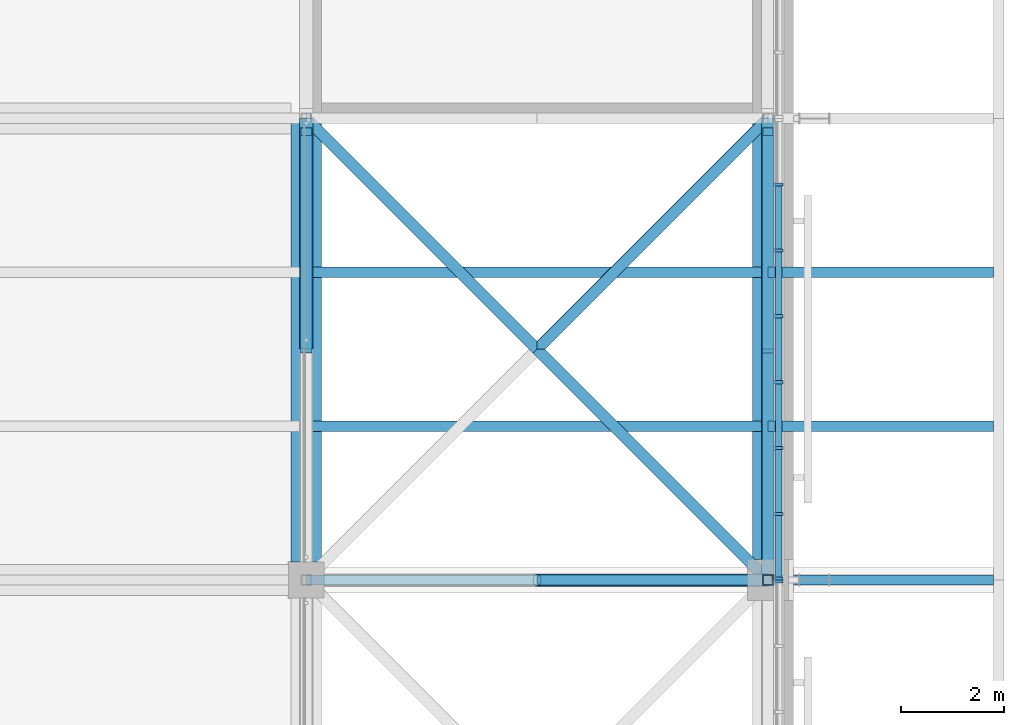
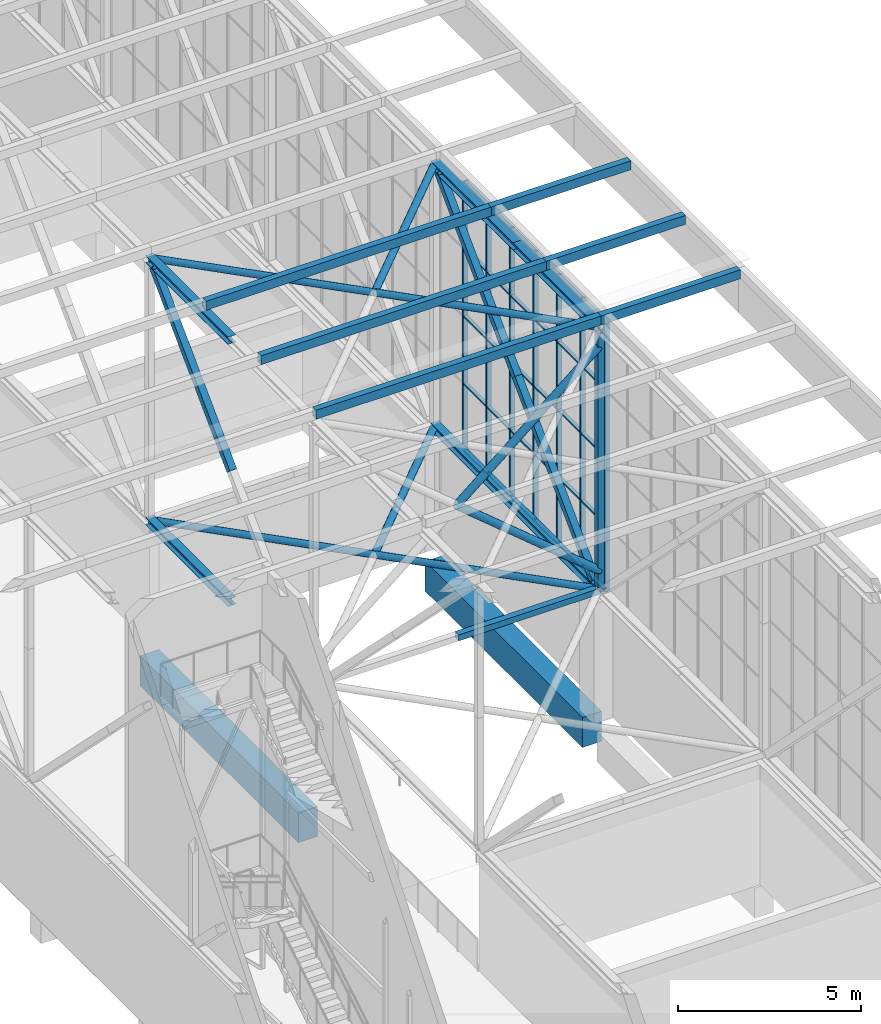
# One storey, part 100 of 646: 64 members, 2 beams, 2 elements without a shape of their own.
"""IFC4 building model written with IfcOpenShell, lengths in metres."""

from ifc_helpers import new_model, si_unit, direction, frame, origin, origin_2d, place, context, subcontext, project, spatial, rectangle, hollow_rectangle, hollow_circle, i_section, extrude, material, material_profile, profile_set, type_object, element, aggregate, save


model = new_model("IFC4")

# Units and contexts
model_context = context("Model", 3, precision=1e-05, world=origin(), true_north=direction((0.0, 1.0)))
body_context = subcontext(model_context, "Body", "Model", "MODEL_VIEW")
ifc_project = project(units=[si_unit("LENGTHUNIT", "METRE"), si_unit("AREAUNIT", "SQUARE_METRE"), si_unit("VOLUMEUNIT", "CUBIC_METRE"), si_unit("PLANEANGLEUNIT", "RADIAN"), si_unit("MASSUNIT", "GRAM", prefix="KILO")], contexts=[model_context])

# Site, building, storey
site_placement = place(None, origin())
site = spatial("IfcSite", under=ifc_project, at=site_placement, CompositionType="ELEMENT")
building_placement = place(site_placement, origin())
building = spatial("IfcBuilding", under=site, at=building_placement, Name="Silverbay Arena", CompositionType="ELEMENT")
storey_placement = place(building_placement, frame((0.0, 0.0, 33.5)))
storey = spatial("IfcBuildingStorey", under=building, at=storey_placement, Name="L05", CompositionType="ELEMENT", Elevation=33.5)

# Member
ifc_material_1 = material(Name="Steel S355", Category="steel")
ifc_material_profile_1 = material_profile(ifc_material_1, hollow_rectangle(XDim=0.199951171875, YDim=0.199951171875, WallThickness=0.008056640625, at=origin_2d()), Name="SHS 200x200x8")
ifc_profile_set_1 = profile_set([ifc_material_profile_1], Name="Steel S355")
member_type_1 = type_object("IfcMemberType", Name="Bracing strut SHS 200x200x8", PredefinedType="STRUT", material=ifc_profile_set_1)
member_1_placement = place(storey_placement, frame((202.5, 81.0, 4.126953125), z_axis=(1.0, 0.0, 0.0), x_axis=(0.0, 1.0, 0.0)))
element("IfcMember", 1, at=member_1_placement, inside=storey, type_object=member_type_1, Name="ROOF BRACING strut 23-24 line 09b", PredefinedType="STRUT", context=body_context, shape_type="SweptSolid", body=[
    extrude(hollow_rectangle(XDim=0.199951171875, YDim=0.199951171875, WallThickness=0.008056640625, at=origin_2d()), origin(), (0.0, 0.0, 1.0), 4.5),
])

# Curtain wall, member
ifc_material_2 = material(Name="Aluminium framed glazing", Category="aluminium")
curtain_wall_type = type_object("IfcCurtainWallType", Name="Curtain wall clerestory 9000 x 9000", PredefinedType="NOTDEFINED", material=ifc_material_2)
curtain_wall_1_placement = place(storey_placement, origin())
curtain_wall_1 = element("IfcCurtainWall", 2, at=curtain_wall_1_placement, inside=storey, type_object=curtain_wall_type, Name="ROOF GABLE CLERESTORY CURTAIN WALL east bay 08", PredefinedType="NOTDEFINED")
ifc_material_3 = material(Name="Aluminium", Category="aluminium")
ifc_material_profile_2 = material_profile(ifc_material_3, rectangle(XDim=0.159912109375, YDim=0.06005859375, at=origin_2d()), Name="Mullion 60 x 160")
ifc_profile_set_2 = profile_set([ifc_material_profile_2], Name="Aluminium")
member_type_2 = type_object("IfcMemberType", Name="Mullion 60 x 160", PredefinedType="MULLION", material=ifc_profile_set_2)
member_2_placement = place(storey_placement, frame((207.2099609375, 80.969970703125, 4.0), z_axis=(0.0, 0.0, 1.0), x_axis=(-1.0, 0.0, 0.0)))
member_2 = element("IfcMember", 3, at=member_2_placement, type_object=member_type_2, Name="CW60 mullion 8", PredefinedType="MULLION", context=body_context, shape_type="SweptSolid", body=[
    extrude(rectangle(XDim=0.159912109375, YDim=0.06005859375, at=origin_2d()), origin(), (0.0, 0.0, 1.0), 9.0),
])
aggregate(curtain_wall_1, [member_2])

# Curtain wall, members
curtain_wall_2_placement = place(storey_placement, origin())
curtain_wall_2 = element("IfcCurtainWall", 4, at=curtain_wall_2_placement, inside=storey, type_object=curtain_wall_type, Name="ROOF GABLE CLERESTORY CURTAIN WALL east bay 09", PredefinedType="NOTDEFINED")
member_3_placement = place(storey_placement, frame((207.2099609375, 81.030029296875, 4.0), z_axis=(0.0, 0.0, 1.0), x_axis=(-1.0, 0.0, 0.0)))
member_3 = element("IfcMember", 5, at=member_3_placement, type_object=member_type_2, Name="CW60 mullion 1", PredefinedType="MULLION", context=body_context, shape_type="SweptSolid", body=[
    extrude(rectangle(XDim=0.159912109375, YDim=0.06005859375, at=origin_2d()), origin(), (0.0, 0.0, 1.0), 9.0),
])
member_4_placement = place(storey_placement, frame((207.2099609375, 82.28564453125, 4.0), z_axis=(0.0, 0.0, 1.0), x_axis=(-1.0, 0.0, 0.0)))
member_4 = element("IfcMember", 6, at=member_4_placement, type_object=member_type_2, Name="CW60 mullion 2", PredefinedType="MULLION", context=body_context, shape_type="SweptSolid", body=[
    extrude(rectangle(XDim=0.159912109375, YDim=0.06005859375, at=origin_2d()), origin(), (0.0, 0.0, 1.0), 9.0),
])
member_5_placement = place(storey_placement, frame((207.2099609375, 83.571533203125, 4.0), z_axis=(0.0, 0.0, 1.0), x_axis=(-1.0, 0.0, 0.0)))
member_5 = element("IfcMember", 7, at=member_5_placement, type_object=member_type_2, Name="CW60 mullion 3", PredefinedType="MULLION", context=body_context, shape_type="SweptSolid", body=[
    extrude(rectangle(XDim=0.159912109375, YDim=0.06005859375, at=origin_2d()), origin(), (0.0, 0.0, 1.0), 9.0),
])
member_6_placement = place(storey_placement, frame((207.2099609375, 84.857177734375, 4.0), z_axis=(0.0, 0.0, 1.0), x_axis=(-1.0, 0.0, 0.0)))
member_6 = element("IfcMember", 8, at=member_6_placement, type_object=member_type_2, Name="CW60 mullion 4", PredefinedType="MULLION", context=body_context, shape_type="SweptSolid", body=[
    extrude(rectangle(XDim=0.159912109375, YDim=0.06005859375, at=origin_2d()), origin(), (0.0, 0.0, 1.0), 9.0),
])
member_7_placement = place(storey_placement, frame((207.2099609375, 86.142822265625, 4.0), z_axis=(0.0, 0.0, 1.0), x_axis=(-1.0, 0.0, 0.0)))
member_7 = element("IfcMember", 9, at=member_7_placement, type_object=member_type_2, Name="CW60 mullion 5", PredefinedType="MULLION", context=body_context, shape_type="SweptSolid", body=[
    extrude(rectangle(XDim=0.159912109375, YDim=0.06005859375, at=origin_2d()), origin(), (0.0, 0.0, 1.0), 9.0),
])
member_8_placement = place(storey_placement, frame((207.2099609375, 87.428466796875, 4.0), z_axis=(0.0, 0.0, 1.0), x_axis=(-1.0, 0.0, 0.0)))
member_8 = element("IfcMember", 10, at=member_8_placement, type_object=member_type_2, Name="CW60 mullion 6", PredefinedType="MULLION", context=body_context, shape_type="SweptSolid", body=[
    extrude(rectangle(XDim=0.159912109375, YDim=0.06005859375, at=origin_2d()), origin(), (0.0, 0.0, 1.0), 9.0),
])
member_9_placement = place(storey_placement, frame((207.2099609375, 88.71435546875, 4.0), z_axis=(0.0, 0.0, 1.0), x_axis=(-1.0, 0.0, 0.0)))
member_9 = element("IfcMember", 11, at=member_9_placement, type_object=member_type_2, Name="CW60 mullion 7", PredefinedType="MULLION", context=body_context, shape_type="SweptSolid", body=[
    extrude(rectangle(XDim=0.159912109375, YDim=0.06005859375, at=origin_2d()), origin(), (0.0, 0.0, 1.0), 9.0),
])

# Members
ifc_material_4 = material(Name="Steel S355", Category="steel")
ifc_material_profile_3 = material_profile(ifc_material_4, hollow_circle(Radius=0.109619140625, WallThickness=0.00634765625, at=origin_2d()), Name="CHS 219.1x6.3")
ifc_profile_set_3 = profile_set([ifc_material_profile_3], Name="Steel S355")
member_type_3 = type_object("IfcMemberType", Name="Plan bracing CHS 219.1x6.3", PredefinedType="BRACE", material=ifc_profile_set_3)
for number, where, z_axis, x_axis, name in (
    (12, (202.5, 85.5, 12.873046875), (0.707106781187, 0.707106781187, 0.0), (-0.707106781187, 0.707106781187, 0.0), "ROOF BRACING top 23-24 panel 09 Ab"),
    (13, (198.0, 90.0, 12.873046875), (0.707106781187, -0.707106781187, 0.0), (0.707106781187, 0.707106781187, 0.0), "ROOF BRACING top 23-24 panel 09 Ba"),
    (14, (202.5, 85.5, 12.873046875), (0.707106781187, -0.707106781187, 0.0), (0.707106781187, 0.707106781187, 0.0), "ROOF BRACING top 23-24 panel 09 Bb"),
    (15, (202.5, 85.5, 4.126953125), (0.707106781187, 0.707106781187, 0.0), (-0.707106781187, 0.707106781187, 0.0), "ROOF BRACING bottom 23-24 panel 09 Ab"),
    (16, (198.0, 90.0, 4.126953125), (0.707106781187, -0.707106781187, 0.0), (0.707106781187, 0.707106781187, 0.0), "ROOF BRACING bottom 23-24 panel 09 Ba"),
    (17, (202.5, 85.5, 4.126953125), (0.707106781187, -0.707106781187, 0.0), (0.707106781187, 0.707106781187, 0.0), "ROOF BRACING bottom 23-24 panel 09 Bb"),
):
    element("IfcMember", number, at=place(storey_placement, frame(where, z_axis=z_axis, x_axis=x_axis)), inside=storey, type_object=member_type_3, Name=name, PredefinedType="BRACE", context=body_context, shape_type="SweptSolid", body=[
        extrude(hollow_circle(Radius=0.109619140625, WallThickness=0.00634765625, at=origin_2d()), origin(), (0.0, 0.0, 1.0), 6.364013671875),
    ])
ifc_material_5 = material(Name="Steel S355", Category="steel")
ifc_material_profile_4 = material_profile(ifc_material_5, hollow_rectangle(XDim=0.199951171875, YDim=0.300048828125, WallThickness=0.008056640625, at=origin_2d()), Name="RHS 300x200x8")
ifc_profile_set_4 = profile_set([ifc_material_profile_4], Name="Steel S355")
member_type_4 = type_object("IfcMemberType", Name="Purlin RHS 300x200x8", PredefinedType="PURLIN", material=ifc_profile_set_4)
for number, where, z_axis, x_axis, name in (
    (18, (198.0, 81.0, 13.14990234375), (1.0, 0.0, 0.0), (0.0, 1.0, 0.0), "ROOF PURLIN 23-24 line 25"),
    (19, (198.0, 84.0, 13.14990234375), (1.0, 0.0, 0.0), (0.0, 1.0, 0.0), "ROOF PURLIN 23-24 line 26"),
    (20, (198.0, 87.0, 13.14990234375), (1.0, 0.0, 0.0), (0.0, 1.0, 0.0), "ROOF PURLIN 23-24 line 27"),
):
    element("IfcMember", number, at=place(storey_placement, frame(where, z_axis=z_axis, x_axis=x_axis)), inside=storey, type_object=member_type_4, Name=name, PredefinedType="PURLIN", context=body_context, shape_type="SweptSolid", body=[
        extrude(hollow_rectangle(XDim=0.199951171875, YDim=0.300048828125, WallThickness=0.008056640625, at=origin_2d()), origin(), (0.0, 0.0, 1.0), 9.0),
    ])
for number, where, z_axis, x_axis, name in (
    (21, (211.39990234375, 81.0, 13.14990234375), (-1.0, 0.0, 0.0), (0.0, -1.0, 0.0), "ROOF PURLIN east eave line 25"),
    (22, (211.39990234375, 84.0, 13.14990234375), (-1.0, 0.0, 0.0), (0.0, -1.0, 0.0), "ROOF PURLIN east eave line 26"),
    (23, (211.39990234375, 87.0, 13.14990234375), (-1.0, 0.0, 0.0), (0.0, -1.0, 0.0), "ROOF PURLIN east eave line 27"),
):
    element("IfcMember", number, at=place(storey_placement, frame(where, z_axis=z_axis, x_axis=x_axis)), inside=storey, type_object=member_type_4, Name=name, PredefinedType="PURLIN", context=body_context, shape_type="SweptSolid", body=[
        extrude(hollow_rectangle(XDim=0.199951171875, YDim=0.300048828125, WallThickness=0.008056640625, at=origin_2d()), origin(), (0.0, 0.0, 1.0), 4.39990234375),
    ])

# Beams
ifc_material_6 = material(Name="Concrete Grade C45", Category="concrete")
ifc_material_profile_5 = material_profile(ifc_material_6, rectangle(XDim=0.60009765625, YDim=1.0, at=origin_2d()), Name="RC 600x1000")
ifc_profile_set_5 = profile_set([ifc_material_profile_5], Name="Concrete Grade C45")
beam_type = type_object("IfcBeamType", Name="RC beam 600x1000", PredefinedType="BEAM", material=ifc_profile_set_5)
beam_1_placement = place(storey_placement, frame((198.0, 81.35009765625, -0.800048828125), z_axis=(0.0, 1.0, 0.0), x_axis=(-1.0, 0.0, 0.0)))
element("IfcBeam", 24, at=beam_1_placement, inside=storey, type_object=beam_type, Name="Floor beam L05 143", PredefinedType="BEAM", context=body_context, shape_type="SweptSolid", body=[
    extrude(rectangle(XDim=0.60009765625, YDim=1.0, at=origin_2d()), origin(), (0.0, 0.0, 1.0), 8.64990234375),
])
beam_2_placement = place(storey_placement, frame((207.0, 81.39990234375, -0.800048828125), z_axis=(0.0, 1.0, 0.0), x_axis=(-1.0, 0.0, 0.0)))
element("IfcBeam", 25, at=beam_2_placement, inside=storey, type_object=beam_type, Name="Floor beam L05 151", PredefinedType="BEAM", context=body_context, shape_type="SweptSolid", body=[
    extrude(rectangle(XDim=0.60009765625, YDim=1.0, at=origin_2d()), origin(), (0.0, 0.0, 1.0), 8.60009765625),
])

# Members
ifc_material_7 = material(Name="Steel S355", Category="steel")
ifc_material_profile_6 = material_profile(ifc_material_7, i_section(OverallWidth=0.254638671875, OverallDepth=0.254150390625, WebThickness=0.008544921875, FlangeThickness=0.01416015625, at=origin_2d()), Name="UC 254x254x73")
ifc_profile_set_6 = profile_set([ifc_material_profile_6], Name="Steel S355")
member_type_5 = type_object("IfcMemberType", Name="Short-span bottom chord UC 254x254x73", PredefinedType="CHORD", material=ifc_profile_set_6)
for number, where, z_axis, x_axis, name in (
    (26, (198.0, 85.5, 4.126953125), (0.0, 1.0, 0.0), (-1.0, 0.0, 0.0), "ROOF TRUSS 23 bottom chord 09b"),
    (27, (207.0, 81.0, 4.126953125), (0.0, 1.0, 0.0), (-1.0, 0.0, 0.0), "ROOF TRUSS 24 bottom chord 09a"),
    (28, (207.0, 85.5, 4.126953125), (0.0, 1.0, 0.0), (-1.0, 0.0, 0.0), "ROOF TRUSS 24 bottom chord 09b"),
):
    element("IfcMember", number, at=place(storey_placement, frame(where, z_axis=z_axis, x_axis=x_axis)), inside=storey, type_object=member_type_5, Name=name, PredefinedType="CHORD", context=body_context, shape_type="SweptSolid", body=[
        extrude(i_section(OverallWidth=0.254638671875, OverallDepth=0.254150390625, WebThickness=0.008544921875, FlangeThickness=0.01416015625, at=origin_2d()), origin(), (0.0, 0.0, 1.0), 4.5),
    ])
ifc_material_8 = material(Name="Steel S355", Category="steel")
ifc_material_profile_7 = material_profile(ifc_material_8, i_section(OverallWidth=0.254638671875, OverallDepth=0.254150390625, WebThickness=0.008544921875, FlangeThickness=0.01416015625, at=origin_2d()), Name="UC 254x254x73")
ifc_profile_set_7 = profile_set([ifc_material_profile_7], Name="Steel S355")
member_type_6 = type_object("IfcMemberType", Name="Short-span top chord UC 254x254x73", PredefinedType="CHORD", material=ifc_profile_set_7)
for number, where, z_axis, x_axis, name in (
    (29, (198.0, 85.5, 12.873046875), (0.0, 1.0, 0.0), (-1.0, 0.0, 0.0), "ROOF TRUSS 23 top chord 09b"),
    (30, (207.0, 81.0, 12.873046875), (0.0, 1.0, 0.0), (-1.0, 0.0, 0.0), "ROOF TRUSS 24 top chord 09a"),
    (31, (207.0, 85.5, 12.873046875), (0.0, 1.0, 0.0), (-1.0, 0.0, 0.0), "ROOF TRUSS 24 top chord 09b"),
):
    element("IfcMember", number, at=place(storey_placement, frame(where, z_axis=z_axis, x_axis=x_axis)), inside=storey, type_object=member_type_6, Name=name, PredefinedType="CHORD", context=body_context, shape_type="SweptSolid", body=[
        extrude(i_section(OverallWidth=0.254638671875, OverallDepth=0.254150390625, WebThickness=0.008544921875, FlangeThickness=0.01416015625, at=origin_2d()), origin(), (0.0, 0.0, 1.0), 4.5),
    ])
ifc_material_9 = material(Name="Steel S355", Category="steel")
ifc_material_profile_8 = material_profile(ifc_material_9, hollow_rectangle(XDim=0.219970703125, YDim=0.219970703125, WallThickness=0.008056640625, at=origin_2d()), Name="SHS 220x220x8")
ifc_profile_set_8 = profile_set([ifc_material_profile_8], Name="Steel S355")
member_type_7 = type_object("IfcMemberType", Name="Short-span truss diagonal SHS 220x220x8", PredefinedType="BRACE", material=ifc_profile_set_8)
for number, where, z_axis, x_axis, name in (
    (32, (198.0, 89.73974609375, 12.745849609375), (0.0, -0.706597990941, -0.707615205601), (1.0, 0.0, 0.0), "ROOF TRUSS 23 diagonal 09a"),
    (33, (207.0, 89.73974609375, 12.745849609375), (0.0, -0.706597990941, -0.707615205601), (1.0, 0.0, 0.0), "ROOF TRUSS 24 diagonal 09a"),
    (34, (207.0, 85.5, 8.5), (0.0, -0.706597990941, -0.707615205601), (1.0, 0.0, 0.0), "ROOF TRUSS 24 diagonal 09b"),
):
    element("IfcMember", number, at=place(storey_placement, frame(where, z_axis=z_axis, x_axis=x_axis)), inside=storey, type_object=member_type_7, Name=name, PredefinedType="BRACE", context=body_context, shape_type="SweptSolid", body=[
        extrude(hollow_rectangle(XDim=0.219970703125, YDim=0.219970703125, WallThickness=0.008056640625, at=origin_2d()), origin(), (0.0, 0.0, 1.0), 6.000244140625),
    ])
ifc_material_10 = material(Name="Steel S355", Category="steel")
ifc_material_profile_9 = material_profile(ifc_material_10, hollow_rectangle(XDim=0.199951171875, YDim=0.199951171875, WallThickness=0.008056640625, at=origin_2d()), Name="SHS 200x200x8")
ifc_profile_set_9 = profile_set([ifc_material_profile_9], Name="Steel S355")
member_type_8 = type_object("IfcMemberType", Name="Short-span truss vertical SHS 200x200x8", PredefinedType="STRUT", material=ifc_profile_set_9)
for number, where, z_axis, x_axis, name in (
    (35, (207.0, 81.0, 4.254150390625), (0.0, 0.0, 1.0), (1.0, 0.0, 0.0), "ROOF TRUSS 24 vertical 09a"),
    (36, (207.0, 81.0, 8.5), (0.0, 0.0, 1.0), (1.0, 0.0, 0.0), "ROOF TRUSS 24 vertical 09b"),
):
    element("IfcMember", number, at=place(storey_placement, frame(where, z_axis=z_axis, x_axis=x_axis)), inside=storey, type_object=member_type_8, Name=name, PredefinedType="STRUT", context=body_context, shape_type="SweptSolid", body=[
        extrude(hollow_rectangle(XDim=0.199951171875, YDim=0.199951171875, WallThickness=0.008056640625, at=origin_2d()), origin(), (0.0, 0.0, 1.0), 4.245849609375),
    ])

# Member
ifc_material_11 = material(Name="Aluminium", Category="aluminium")
ifc_material_profile_10 = material_profile(ifc_material_11, rectangle(XDim=0.1201171875, YDim=0.050048828125, at=origin_2d()), Name="Transom 50 x 120")
ifc_profile_set_10 = profile_set([ifc_material_profile_10], Name="Aluminium")
member_type_9 = type_object("IfcMemberType", Name="Transom 50 x 120", PredefinedType="USERDEFINED", material=ifc_profile_set_10)
member_10_placement = place(storey_placement, frame((207.2099609375, 81.06005859375, 4.02490234375), z_axis=(0.0, 1.0, 0.0), x_axis=(-1.0, 0.0, 0.0)))
member_10 = element("IfcMember", 37, at=member_10_placement, type_object=member_type_9, Name="CW60 transom 1.1", ObjectType="TRANSOM", PredefinedType="USERDEFINED", context=body_context, shape_type="SweptSolid", body=[
    extrude(rectangle(XDim=0.1201171875, YDim=0.050048828125, at=origin_2d()), origin(), (0.0, 0.0, 1.0), 1.195556640625),
])

member_11_placement = place(storey_placement, frame((207.2099609375, 81.06005859375, 6.25), z_axis=(0.0, 1.0, 0.0), x_axis=(-1.0, 0.0, 0.0)))
member_11 = element("IfcMember", 38, at=member_11_placement, type_object=member_type_9, Name="CW60 transom 1.2", ObjectType="TRANSOM", PredefinedType="USERDEFINED", context=body_context, shape_type="SweptSolid", body=[
    extrude(rectangle(XDim=0.1201171875, YDim=0.050048828125, at=origin_2d()), origin(), (0.0, 0.0, 1.0), 1.195556640625),
])

member_12_placement = place(storey_placement, frame((207.2099609375, 81.06005859375, 8.5), z_axis=(0.0, 1.0, 0.0), x_axis=(-1.0, 0.0, 0.0)))
member_12 = element("IfcMember", 39, at=member_12_placement, type_object=member_type_9, Name="CW60 transom 1.3", ObjectType="TRANSOM", PredefinedType="USERDEFINED", context=body_context, shape_type="SweptSolid", body=[
    extrude(rectangle(XDim=0.1201171875, YDim=0.050048828125, at=origin_2d()), origin(), (0.0, 0.0, 1.0), 1.195556640625),
])

member_13_placement = place(storey_placement, frame((207.2099609375, 81.06005859375, 10.75), z_axis=(0.0, 1.0, 0.0), x_axis=(-1.0, 0.0, 0.0)))
member_13 = element("IfcMember", 40, at=member_13_placement, type_object=member_type_9, Name="CW60 transom 1.4", ObjectType="TRANSOM", PredefinedType="USERDEFINED", context=body_context, shape_type="SweptSolid", body=[
    extrude(rectangle(XDim=0.1201171875, YDim=0.050048828125, at=origin_2d()), origin(), (0.0, 0.0, 1.0), 1.195556640625),
])

member_14_placement = place(storey_placement, frame((207.2099609375, 81.06005859375, 12.97509765625), z_axis=(0.0, 1.0, 0.0), x_axis=(-1.0, 0.0, 0.0)))
member_14 = element("IfcMember", 41, at=member_14_placement, type_object=member_type_9, Name="CW60 transom 1.5", ObjectType="TRANSOM", PredefinedType="USERDEFINED", context=body_context, shape_type="SweptSolid", body=[
    extrude(rectangle(XDim=0.1201171875, YDim=0.050048828125, at=origin_2d()), origin(), (0.0, 0.0, 1.0), 1.195556640625),
])

member_15_placement = place(storey_placement, frame((207.2099609375, 82.315673828125, 4.02490234375), z_axis=(0.0, 1.0, 0.0), x_axis=(-1.0, 0.0, 0.0)))
member_15 = element("IfcMember", 42, at=member_15_placement, type_object=member_type_9, Name="CW60 transom 2.1", ObjectType="TRANSOM", PredefinedType="USERDEFINED", context=body_context, shape_type="SweptSolid", body=[
    extrude(rectangle(XDim=0.1201171875, YDim=0.050048828125, at=origin_2d()), origin(), (0.0, 0.0, 1.0), 1.225830078125),
])

member_16_placement = place(storey_placement, frame((207.2099609375, 82.315673828125, 6.25), z_axis=(0.0, 1.0, 0.0), x_axis=(-1.0, 0.0, 0.0)))
member_16 = element("IfcMember", 43, at=member_16_placement, type_object=member_type_9, Name="CW60 transom 2.2", ObjectType="TRANSOM", PredefinedType="USERDEFINED", context=body_context, shape_type="SweptSolid", body=[
    extrude(rectangle(XDim=0.1201171875, YDim=0.050048828125, at=origin_2d()), origin(), (0.0, 0.0, 1.0), 1.225830078125),
])

member_17_placement = place(storey_placement, frame((207.2099609375, 82.315673828125, 8.5), z_axis=(0.0, 1.0, 0.0), x_axis=(-1.0, 0.0, 0.0)))
member_17 = element("IfcMember", 44, at=member_17_placement, type_object=member_type_9, Name="CW60 transom 2.3", ObjectType="TRANSOM", PredefinedType="USERDEFINED", context=body_context, shape_type="SweptSolid", body=[
    extrude(rectangle(XDim=0.1201171875, YDim=0.050048828125, at=origin_2d()), origin(), (0.0, 0.0, 1.0), 1.225830078125),
])

member_18_placement = place(storey_placement, frame((207.2099609375, 82.315673828125, 10.75), z_axis=(0.0, 1.0, 0.0), x_axis=(-1.0, 0.0, 0.0)))
member_18 = element("IfcMember", 45, at=member_18_placement, type_object=member_type_9, Name="CW60 transom 2.4", ObjectType="TRANSOM", PredefinedType="USERDEFINED", context=body_context, shape_type="SweptSolid", body=[
    extrude(rectangle(XDim=0.1201171875, YDim=0.050048828125, at=origin_2d()), origin(), (0.0, 0.0, 1.0), 1.225830078125),
])

member_19_placement = place(storey_placement, frame((207.2099609375, 82.315673828125, 12.97509765625), z_axis=(0.0, 1.0, 0.0), x_axis=(-1.0, 0.0, 0.0)))
member_19 = element("IfcMember", 46, at=member_19_placement, type_object=member_type_9, Name="CW60 transom 2.5", ObjectType="TRANSOM", PredefinedType="USERDEFINED", context=body_context, shape_type="SweptSolid", body=[
    extrude(rectangle(XDim=0.1201171875, YDim=0.050048828125, at=origin_2d()), origin(), (0.0, 0.0, 1.0), 1.225830078125),
])

member_20_placement = place(storey_placement, frame((207.2099609375, 83.601318359375, 4.02490234375), z_axis=(0.0, 1.0, 0.0), x_axis=(-1.0, 0.0, 0.0)))
member_20 = element("IfcMember", 47, at=member_20_placement, type_object=member_type_9, Name="CW60 transom 3.1", ObjectType="TRANSOM", PredefinedType="USERDEFINED", context=body_context, shape_type="SweptSolid", body=[
    extrude(rectangle(XDim=0.1201171875, YDim=0.050048828125, at=origin_2d()), origin(), (0.0, 0.0, 1.0), 1.225830078125),
])

member_21_placement = place(storey_placement, frame((207.2099609375, 83.601318359375, 6.25), z_axis=(0.0, 1.0, 0.0), x_axis=(-1.0, 0.0, 0.0)))
member_21 = element("IfcMember", 48, at=member_21_placement, type_object=member_type_9, Name="CW60 transom 3.2", ObjectType="TRANSOM", PredefinedType="USERDEFINED", context=body_context, shape_type="SweptSolid", body=[
    extrude(rectangle(XDim=0.1201171875, YDim=0.050048828125, at=origin_2d()), origin(), (0.0, 0.0, 1.0), 1.225830078125),
])

member_22_placement = place(storey_placement, frame((207.2099609375, 83.601318359375, 8.5), z_axis=(0.0, 1.0, 0.0), x_axis=(-1.0, 0.0, 0.0)))
member_22 = element("IfcMember", 49, at=member_22_placement, type_object=member_type_9, Name="CW60 transom 3.3", ObjectType="TRANSOM", PredefinedType="USERDEFINED", context=body_context, shape_type="SweptSolid", body=[
    extrude(rectangle(XDim=0.1201171875, YDim=0.050048828125, at=origin_2d()), origin(), (0.0, 0.0, 1.0), 1.225830078125),
])

member_23_placement = place(storey_placement, frame((207.2099609375, 83.601318359375, 10.75), z_axis=(0.0, 1.0, 0.0), x_axis=(-1.0, 0.0, 0.0)))
member_23 = element("IfcMember", 50, at=member_23_placement, type_object=member_type_9, Name="CW60 transom 3.4", ObjectType="TRANSOM", PredefinedType="USERDEFINED", context=body_context, shape_type="SweptSolid", body=[
    extrude(rectangle(XDim=0.1201171875, YDim=0.050048828125, at=origin_2d()), origin(), (0.0, 0.0, 1.0), 1.225830078125),
])

member_24_placement = place(storey_placement, frame((207.2099609375, 83.601318359375, 12.97509765625), z_axis=(0.0, 1.0, 0.0), x_axis=(-1.0, 0.0, 0.0)))
member_24 = element("IfcMember", 51, at=member_24_placement, type_object=member_type_9, Name="CW60 transom 3.5", ObjectType="TRANSOM", PredefinedType="USERDEFINED", context=body_context, shape_type="SweptSolid", body=[
    extrude(rectangle(XDim=0.1201171875, YDim=0.050048828125, at=origin_2d()), origin(), (0.0, 0.0, 1.0), 1.225830078125),
])

member_25_placement = place(storey_placement, frame((207.2099609375, 84.88720703125, 4.02490234375), z_axis=(0.0, 1.0, 0.0), x_axis=(-1.0, 0.0, 0.0)))
member_25 = element("IfcMember", 52, at=member_25_placement, type_object=member_type_9, Name="CW60 transom 4.1", ObjectType="TRANSOM", PredefinedType="USERDEFINED", context=body_context, shape_type="SweptSolid", body=[
    extrude(rectangle(XDim=0.1201171875, YDim=0.050048828125, at=origin_2d()), origin(), (0.0, 0.0, 1.0), 1.2255859375),
])

member_26_placement = place(storey_placement, frame((207.2099609375, 84.88720703125, 6.25), z_axis=(0.0, 1.0, 0.0), x_axis=(-1.0, 0.0, 0.0)))
member_26 = element("IfcMember", 53, at=member_26_placement, type_object=member_type_9, Name="CW60 transom 4.2", ObjectType="TRANSOM", PredefinedType="USERDEFINED", context=body_context, shape_type="SweptSolid", body=[
    extrude(rectangle(XDim=0.1201171875, YDim=0.050048828125, at=origin_2d()), origin(), (0.0, 0.0, 1.0), 1.2255859375),
])

member_27_placement = place(storey_placement, frame((207.2099609375, 84.88720703125, 8.5), z_axis=(0.0, 1.0, 0.0), x_axis=(-1.0, 0.0, 0.0)))
member_27 = element("IfcMember", 54, at=member_27_placement, type_object=member_type_9, Name="CW60 transom 4.3", ObjectType="TRANSOM", PredefinedType="USERDEFINED", context=body_context, shape_type="SweptSolid", body=[
    extrude(rectangle(XDim=0.1201171875, YDim=0.050048828125, at=origin_2d()), origin(), (0.0, 0.0, 1.0), 1.2255859375),
])

member_28_placement = place(storey_placement, frame((207.2099609375, 84.88720703125, 10.75), z_axis=(0.0, 1.0, 0.0), x_axis=(-1.0, 0.0, 0.0)))
member_28 = element("IfcMember", 55, at=member_28_placement, type_object=member_type_9, Name="CW60 transom 4.4", ObjectType="TRANSOM", PredefinedType="USERDEFINED", context=body_context, shape_type="SweptSolid", body=[
    extrude(rectangle(XDim=0.1201171875, YDim=0.050048828125, at=origin_2d()), origin(), (0.0, 0.0, 1.0), 1.2255859375),
])

member_29_placement = place(storey_placement, frame((207.2099609375, 84.88720703125, 12.97509765625), z_axis=(0.0, 1.0, 0.0), x_axis=(-1.0, 0.0, 0.0)))
member_29 = element("IfcMember", 56, at=member_29_placement, type_object=member_type_9, Name="CW60 transom 4.5", ObjectType="TRANSOM", PredefinedType="USERDEFINED", context=body_context, shape_type="SweptSolid", body=[
    extrude(rectangle(XDim=0.1201171875, YDim=0.050048828125, at=origin_2d()), origin(), (0.0, 0.0, 1.0), 1.2255859375),
])

member_30_placement = place(storey_placement, frame((207.2099609375, 86.1728515625, 4.02490234375), z_axis=(0.0, 1.0, 0.0), x_axis=(-1.0, 0.0, 0.0)))
member_30 = element("IfcMember", 57, at=member_30_placement, type_object=member_type_9, Name="CW60 transom 5.1", ObjectType="TRANSOM", PredefinedType="USERDEFINED", context=body_context, shape_type="SweptSolid", body=[
    extrude(rectangle(XDim=0.1201171875, YDim=0.050048828125, at=origin_2d()), origin(), (0.0, 0.0, 1.0), 1.225830078125),
])

member_31_placement = place(storey_placement, frame((207.2099609375, 86.1728515625, 6.25), z_axis=(0.0, 1.0, 0.0), x_axis=(-1.0, 0.0, 0.0)))
member_31 = element("IfcMember", 58, at=member_31_placement, type_object=member_type_9, Name="CW60 transom 5.2", ObjectType="TRANSOM", PredefinedType="USERDEFINED", context=body_context, shape_type="SweptSolid", body=[
    extrude(rectangle(XDim=0.1201171875, YDim=0.050048828125, at=origin_2d()), origin(), (0.0, 0.0, 1.0), 1.225830078125),
])

member_32_placement = place(storey_placement, frame((207.2099609375, 86.1728515625, 8.5), z_axis=(0.0, 1.0, 0.0), x_axis=(-1.0, 0.0, 0.0)))
member_32 = element("IfcMember", 59, at=member_32_placement, type_object=member_type_9, Name="CW60 transom 5.3", ObjectType="TRANSOM", PredefinedType="USERDEFINED", context=body_context, shape_type="SweptSolid", body=[
    extrude(rectangle(XDim=0.1201171875, YDim=0.050048828125, at=origin_2d()), origin(), (0.0, 0.0, 1.0), 1.225830078125),
])

member_33_placement = place(storey_placement, frame((207.2099609375, 86.1728515625, 10.75), z_axis=(0.0, 1.0, 0.0), x_axis=(-1.0, 0.0, 0.0)))
member_33 = element("IfcMember", 60, at=member_33_placement, type_object=member_type_9, Name="CW60 transom 5.4", ObjectType="TRANSOM", PredefinedType="USERDEFINED", context=body_context, shape_type="SweptSolid", body=[
    extrude(rectangle(XDim=0.1201171875, YDim=0.050048828125, at=origin_2d()), origin(), (0.0, 0.0, 1.0), 1.225830078125),
])

member_34_placement = place(storey_placement, frame((207.2099609375, 86.1728515625, 12.97509765625), z_axis=(0.0, 1.0, 0.0), x_axis=(-1.0, 0.0, 0.0)))
member_34 = element("IfcMember", 61, at=member_34_placement, type_object=member_type_9, Name="CW60 transom 5.5", ObjectType="TRANSOM", PredefinedType="USERDEFINED", context=body_context, shape_type="SweptSolid", body=[
    extrude(rectangle(XDim=0.1201171875, YDim=0.050048828125, at=origin_2d()), origin(), (0.0, 0.0, 1.0), 1.225830078125),
])

member_35_placement = place(storey_placement, frame((207.2099609375, 87.45849609375, 4.02490234375), z_axis=(0.0, 1.0, 0.0), x_axis=(-1.0, 0.0, 0.0)))
member_35 = element("IfcMember", 62, at=member_35_placement, type_object=member_type_9, Name="CW60 transom 6.1", ObjectType="TRANSOM", PredefinedType="USERDEFINED", context=body_context, shape_type="SweptSolid", body=[
    extrude(rectangle(XDim=0.1201171875, YDim=0.050048828125, at=origin_2d()), origin(), (0.0, 0.0, 1.0), 1.225830078125),
])

member_36_placement = place(storey_placement, frame((207.2099609375, 87.45849609375, 6.25), z_axis=(0.0, 1.0, 0.0), x_axis=(-1.0, 0.0, 0.0)))
member_36 = element("IfcMember", 63, at=member_36_placement, type_object=member_type_9, Name="CW60 transom 6.2", ObjectType="TRANSOM", PredefinedType="USERDEFINED", context=body_context, shape_type="SweptSolid", body=[
    extrude(rectangle(XDim=0.1201171875, YDim=0.050048828125, at=origin_2d()), origin(), (0.0, 0.0, 1.0), 1.225830078125),
])

member_37_placement = place(storey_placement, frame((207.2099609375, 87.45849609375, 8.5), z_axis=(0.0, 1.0, 0.0), x_axis=(-1.0, 0.0, 0.0)))
member_37 = element("IfcMember", 64, at=member_37_placement, type_object=member_type_9, Name="CW60 transom 6.3", ObjectType="TRANSOM", PredefinedType="USERDEFINED", context=body_context, shape_type="SweptSolid", body=[
    extrude(rectangle(XDim=0.1201171875, YDim=0.050048828125, at=origin_2d()), origin(), (0.0, 0.0, 1.0), 1.225830078125),
])

member_38_placement = place(storey_placement, frame((207.2099609375, 87.45849609375, 10.75), z_axis=(0.0, 1.0, 0.0), x_axis=(-1.0, 0.0, 0.0)))
member_38 = element("IfcMember", 65, at=member_38_placement, type_object=member_type_9, Name="CW60 transom 6.4", ObjectType="TRANSOM", PredefinedType="USERDEFINED", context=body_context, shape_type="SweptSolid", body=[
    extrude(rectangle(XDim=0.1201171875, YDim=0.050048828125, at=origin_2d()), origin(), (0.0, 0.0, 1.0), 1.225830078125),
])

member_39_placement = place(storey_placement, frame((207.2099609375, 87.45849609375, 12.97509765625), z_axis=(0.0, 1.0, 0.0), x_axis=(-1.0, 0.0, 0.0)))
member_39 = element("IfcMember", 66, at=member_39_placement, type_object=member_type_9, Name="CW60 transom 6.5", ObjectType="TRANSOM", PredefinedType="USERDEFINED", context=body_context, shape_type="SweptSolid", body=[
    extrude(rectangle(XDim=0.1201171875, YDim=0.050048828125, at=origin_2d()), origin(), (0.0, 0.0, 1.0), 1.225830078125),
])

aggregate(curtain_wall_2, [member_3, member_4, member_5, member_6, member_7, member_8, member_9, member_10, member_11, member_12, member_13, member_14, member_15, member_16, member_17, member_18, member_19, member_20, member_21, member_22, member_23, member_24, member_25, member_26, member_27, member_28, member_29, member_30, member_31, member_32, member_33, member_34, member_35, member_36, member_37, member_38, member_39])

# Members
ifc_material_12 = material(Name="Steel S355", Category="steel")
ifc_material_profile_11 = material_profile(ifc_material_12, hollow_circle(Radius=0.122314453125, WallThickness=0.00634765625, at=origin_2d()), Name="CHS 244.5x6.3")
ifc_profile_set_11 = profile_set([ifc_material_profile_11], Name="Steel S355")
member_type_10 = type_object("IfcMemberType", Name="Vertical bracing CHS 244.5x6.3", PredefinedType="BRACE", material=ifc_profile_set_11)
for number, where, z_axis, x_axis, name in (
    (67, (202.5, 81.0, 8.5), (0.768569784798, 0.0, 0.639765961814), (0.0, 1.0, 0.0), "ROOF BRACING vertical 23-24 line 09 Ab"),
    (68, (202.5, 81.0, 8.5), (0.768569784798, 0.0, -0.639765961814), (0.0, 1.0, 0.0), "ROOF BRACING vertical 23-24 line 09 Bb"),
):
    element("IfcMember", number, at=place(storey_placement, frame(where, z_axis=z_axis, x_axis=x_axis)), inside=storey, type_object=member_type_10, Name=name, PredefinedType="BRACE", context=body_context, shape_type="SweptSolid", body=[
        extrude(hollow_circle(Radius=0.122314453125, WallThickness=0.00634765625, at=origin_2d()), origin(), (0.0, 0.0, 1.0), 5.85498046875),
    ])

save(model, "model.ifc")
